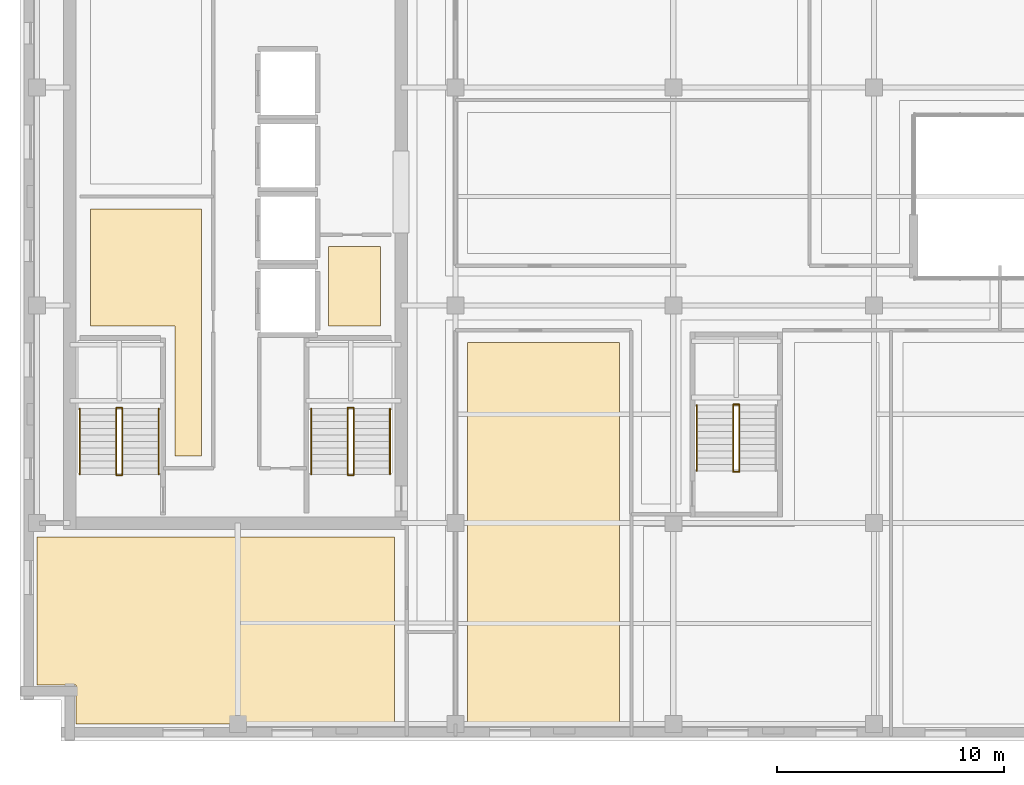
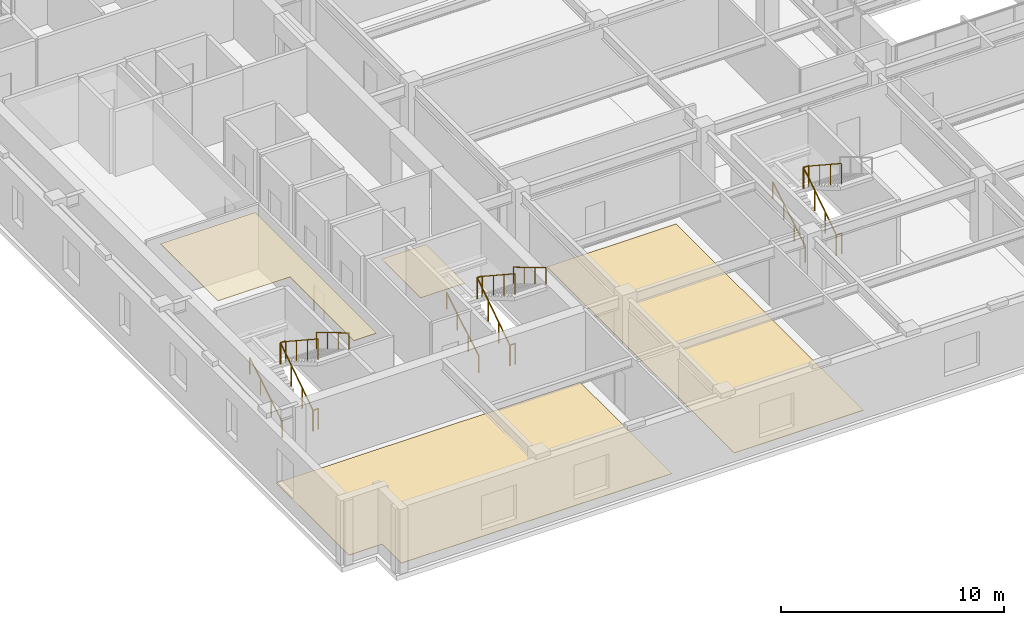
# One storey, part 8 of 11: 17 railings, 4 coverings.
"""IFC4 building model written with IfcOpenShell, lengths in metres."""

from ifc_helpers import new_model, si_unit, direction, frame, origin, origin_2d, place, context, subcontext, project, spatial, polyline, circle, outline, extrude, material, layer, layer_set, type_object, element, save


model = new_model("IFC4")

# Units and contexts
model_context = context("Model", 3, precision=1e-05, world=origin(), true_north=direction((0.0, 1.0)))
body_context = subcontext(model_context, "Body", "Model", "MODEL_VIEW")
ifc_project = project(units=[si_unit("LENGTHUNIT", "METRE"), si_unit("AREAUNIT", "SQUARE_METRE"), si_unit("VOLUMEUNIT", "CUBIC_METRE"), si_unit("PLANEANGLEUNIT", "RADIAN"), si_unit("MASSUNIT", "GRAM", prefix="KILO")], contexts=[model_context])

# Site, building, storey
site_placement = place(None, origin())
site = spatial("IfcSite", under=ifc_project, at=site_placement, CompositionType="ELEMENT")
building_placement = place(site_placement, origin())
building = spatial("IfcBuilding", under=site, at=building_placement, Name="Norrvale University Quadrangle", CompositionType="ELEMENT")
storey_placement = place(building_placement, frame((0.0, 0.0, 281.0)))
storey = spatial("IfcBuildingStorey", under=building, at=storey_placement, Name="L71", CompositionType="ELEMENT", Elevation=281.0)

# Coverings
ifc_material_1 = material(Name="Perforated Acoustic Mineral Ceiling")
ifc_layer_1 = layer(ifc_material_1, 0.02490234375, Name="Perforated Acoustic Mineral Ceiling")
ifc_layer_set_1 = layer_set([ifc_layer_1], Name="Perforated Acoustic Mineral Ceiling")
covering_type_1 = type_object("IfcCoveringType", Name="Covering Acoustic Ceiling 25", PredefinedType="CEILING", material=ifc_layer_set_1)
covering_1_placement = place(storey_placement, frame((0.0, 0.0, 3.514892578125)))
element("IfcCovering", 1, at=covering_1_placement, inside=storey, type_object=covering_type_1, Name="Acoustic Ceiling RM-L71-REC1", PredefinedType="CEILING", context=body_context, shape_type="SweptSolid", body=[
    extrude(outline(polyline([(3.10009765625, 18.300048828125), (3.10009765625, 23.449951171875), (8.0, 23.449951171875), (8.0, 12.550048828125), (6.830078125, 12.550048828125), (6.830078125, 18.300048828125), (3.10009765625, 18.300048828125)])), origin(), (0.0, 0.0, 1.0), 0.025146484375),
])
ifc_material_2 = material(Name="Polished Terrazzo Flooring")
ifc_layer_2 = layer(ifc_material_2, 0.02490234375, Name="Polished Terrazzo Flooring")
ifc_layer_set_2 = layer_set([ifc_layer_2], Name="Polished Terrazzo Flooring")
covering_type_2 = type_object("IfcCoveringType", Name="Covering Terrazzo Floor 30", PredefinedType="FLOORING", material=ifc_layer_set_2)
covering_2_placement = place(storey_placement, origin())
element("IfcCovering", 2, at=covering_2_placement, inside=storey, type_object=covering_type_2, Name="Terrazzo Flooring RM-L71-JAN", PredefinedType="FLOORING", context=body_context, shape_type="SweptSolid", body=[
    extrude(outline(polyline([(13.60009765625, 18.300048828125), (13.60009765625, 21.800048828125), (15.89990234375, 21.800048828125), (15.89990234375, 18.300048828125), (13.60009765625, 18.300048828125)])), origin(), (0.0, 0.0, 1.0), 0.02490234375),
])
covering_3_placement = place(storey_placement, origin())
element("IfcCovering", 3, at=covering_3_placement, inside=storey, type_object=covering_type_2, Name="Terrazzo Flooring RM-L71-SW1", PredefinedType="FLOORING", context=body_context, shape_type="SweptSolid", body=[
    extrude(outline(polyline([(16.5, 9.0), (16.5, 0.75), (2.469970703125, 0.75), (2.469970703125, 2.469970703125), (0.75, 2.469970703125), (0.75, 9.0), (16.5, 9.0)])), origin(), (0.0, 0.0, 1.0), 0.02490234375),
])
covering_4_placement = place(storey_placement, origin())
element("IfcCovering", 4, at=covering_4_placement, inside=storey, type_object=covering_type_2, Name="Terrazzo Flooring RM-L71-SE1", PredefinedType="FLOORING", context=body_context, shape_type="SweptSolid", body=[
    extrude(outline(polyline([(26.419921875, 17.570068359375), (26.419921875, 0.75), (19.72998046875, 0.75), (19.72998046875, 17.570068359375), (26.419921875, 17.570068359375)])), origin(), (0.0, 0.0, 1.0), 0.02490234375),
])

# Railings
ifc_material_3 = material(Name="Steel 350W Painted Balustrade", Category="steel")
railing_type_1 = type_object("IfcRailingType", Name="Railing Stair Guard 1100", PredefinedType="GUARDRAIL", material=ifc_material_3)
for number, where, name in (
    (5, (4.239990234375, 11.719970703125, 0.0), "Stair Floor Well Guard ST-01 L71"),
    (6, (4.239990234375, 14.679931640625, 1.89990234375), "Stair Mid-Landing Slot Guard ST-01 L71"),
):
    element("IfcRailing", number, at=place(storey_placement, frame(where)), inside=storey, type_object=railing_type_1, Name=name, PredefinedType="GUARDRAIL", context=body_context, shape_type="SweptSolid", body=[
        extrude(circle(Radius=0.02392578125, at=origin_2d()), frame((0.0, 0.0, 1.1259765625), z_axis=(1.0, 0.0, 0.0), x_axis=(0.0, 1.0, 0.0)), (0.0, 0.0, 1.0), 0.27001953125),
        extrude(circle(Radius=0.02099609375, at=origin_2d()), origin(), (0.0, 0.0, 1.0), 1.101806640625),
        extrude(circle(Radius=0.02099609375, at=origin_2d()), frame((0.27001953125, 0.0, 0.0)), (0.0, 0.0, 1.0), 1.101806640625),
    ])
railing_1_placement = place(storey_placement, frame((4.239990234375, 11.75, 0.0)))
element("IfcRailing", 7, at=railing_1_placement, inside=storey, type_object=railing_type_1, Name="Stair Lower Flight Inner Guard ST-01 L71", PredefinedType="GUARDRAIL", context=body_context, shape_type="SweptSolid", body=[
    extrude(circle(Radius=0.02392578125, at=origin_2d()), frame((0.0, 0.0, 1.1259765625), z_axis=(0.0, 0.836465582154, 0.548019461216), x_axis=(-1.0, 0.0, 0.0)), (0.0, 0.0, 1.0), 3.466796875),
    extrude(circle(Radius=0.02099609375, at=origin_2d()), origin(), (0.0, 0.0, 1.0), 1.101806640625),
    extrude(circle(Radius=0.02099609375, at=origin_2d()), frame((0.0, 0.966552734375, 0.63330078125)), (0.0, 0.0, 1.0), 1.101806640625),
    extrude(circle(Radius=0.02099609375, at=origin_2d()), frame((0.0, 1.933349609375, 1.2666015625)), (0.0, 0.0, 1.0), 1.101806640625),
    extrude(circle(Radius=0.02099609375, at=origin_2d()), frame((0.0, 2.89990234375, 1.89990234375)), (0.0, 0.0, 1.0), 1.101806640625),
])
railing_2_placement = place(storey_placement, frame((4.510009765625, 14.64990234375, 1.89990234375)))
element("IfcRailing", 8, at=railing_2_placement, inside=storey, type_object=railing_type_1, Name="Stair Upper Flight Inner Guard ST-01 L71", PredefinedType="GUARDRAIL", context=body_context, shape_type="SweptSolid", body=[
    extrude(circle(Radius=0.02392578125, at=origin_2d()), frame((0.0, 0.0, 1.1259765625), z_axis=(0.0, -0.836433300813, 0.548068730445), x_axis=(1.0, 0.0, 0.0)), (0.0, 0.0, 1.0), 3.467041015625),
    extrude(circle(Radius=0.02099609375, at=origin_2d()), origin(), (0.0, 0.0, 1.0), 1.101806640625),
    extrude(circle(Radius=0.02099609375, at=origin_2d()), frame((0.0, -0.966552734375, 0.63330078125)), (0.0, 0.0, 1.0), 1.101806640625),
    extrude(circle(Radius=0.02099609375, at=origin_2d()), frame((0.0, -1.933349609375, 1.266845703125)), (0.0, 0.0, 1.0), 1.101806640625),
    extrude(circle(Radius=0.02099609375, at=origin_2d()), frame((0.0, -2.89990234375, 1.900146484375)), (0.0, 0.0, 1.0), 1.101806640625),
])
for number, where, name in (
    (9, (14.43994140625, 11.719970703125, 0.0), "Stair Floor Well Guard ST-03 L71"),
    (10, (14.43994140625, 14.679931640625, 1.89990234375), "Stair Mid-Landing Slot Guard ST-03 L71"),
):
    element("IfcRailing", number, at=place(storey_placement, frame(where)), inside=storey, type_object=railing_type_1, Name=name, PredefinedType="GUARDRAIL", context=body_context, shape_type="SweptSolid", body=[
        extrude(circle(Radius=0.02392578125, at=origin_2d()), frame((0.0, 0.0, 1.1259765625), z_axis=(1.0, 0.0, 0.0), x_axis=(0.0, 1.0, 0.0)), (0.0, 0.0, 1.0), 0.27001953125),
        extrude(circle(Radius=0.02099609375, at=origin_2d()), origin(), (0.0, 0.0, 1.0), 1.101806640625),
        extrude(circle(Radius=0.02099609375, at=origin_2d()), frame((0.27001953125, 0.0, 0.0)), (0.0, 0.0, 1.0), 1.101806640625),
    ])
railing_3_placement = place(storey_placement, frame((14.43994140625, 11.75, 0.0)))
element("IfcRailing", 11, at=railing_3_placement, inside=storey, type_object=railing_type_1, Name="Stair Lower Flight Inner Guard ST-03 L71", PredefinedType="GUARDRAIL", context=body_context, shape_type="SweptSolid", body=[
    extrude(circle(Radius=0.02392578125, at=origin_2d()), frame((0.0, 0.0, 1.1259765625), z_axis=(0.0, 0.836465582154, 0.548019461216), x_axis=(-1.0, 0.0, 0.0)), (0.0, 0.0, 1.0), 3.466796875),
    extrude(circle(Radius=0.02099609375, at=origin_2d()), origin(), (0.0, 0.0, 1.0), 1.101806640625),
    extrude(circle(Radius=0.02099609375, at=origin_2d()), frame((0.0, 0.966552734375, 0.63330078125)), (0.0, 0.0, 1.0), 1.101806640625),
    extrude(circle(Radius=0.02099609375, at=origin_2d()), frame((0.0, 1.933349609375, 1.2666015625)), (0.0, 0.0, 1.0), 1.101806640625),
    extrude(circle(Radius=0.02099609375, at=origin_2d()), frame((0.0, 2.89990234375, 1.89990234375)), (0.0, 0.0, 1.0), 1.101806640625),
])
railing_4_placement = place(storey_placement, frame((14.7099609375, 14.64990234375, 1.89990234375)))
element("IfcRailing", 12, at=railing_4_placement, inside=storey, type_object=railing_type_1, Name="Stair Upper Flight Inner Guard ST-03 L71", PredefinedType="GUARDRAIL", context=body_context, shape_type="SweptSolid", body=[
    extrude(circle(Radius=0.02392578125, at=origin_2d()), frame((0.0, 0.0, 1.1259765625), z_axis=(0.0, -0.836433300813, 0.548068730445), x_axis=(1.0, 0.0, 0.0)), (0.0, 0.0, 1.0), 3.467041015625),
    extrude(circle(Radius=0.02099609375, at=origin_2d()), origin(), (0.0, 0.0, 1.0), 1.101806640625),
    extrude(circle(Radius=0.02099609375, at=origin_2d()), frame((0.0, -0.966552734375, 0.63330078125)), (0.0, 0.0, 1.0), 1.101806640625),
    extrude(circle(Radius=0.02099609375, at=origin_2d()), frame((0.0, -1.933349609375, 1.266845703125)), (0.0, 0.0, 1.0), 1.101806640625),
    extrude(circle(Radius=0.02099609375, at=origin_2d()), frame((0.0, -2.89990234375, 1.900146484375)), (0.0, 0.0, 1.0), 1.101806640625),
])
for number, where, name in (
    (13, (31.43994140625, 11.8701171875, 0.0), "Stair Floor Well Guard ST-04 L71"),
    (14, (31.43994140625, 14.830078125, 1.89990234375), "Stair Mid-Landing Slot Guard ST-04 L71"),
):
    element("IfcRailing", number, at=place(storey_placement, frame(where)), inside=storey, type_object=railing_type_1, Name=name, PredefinedType="GUARDRAIL", context=body_context, shape_type="SweptSolid", body=[
        extrude(circle(Radius=0.02392578125, at=origin_2d()), frame((0.0, 0.0, 1.1259765625), z_axis=(1.0, 0.0, 0.0), x_axis=(0.0, 1.0, 0.0)), (0.0, 0.0, 1.0), 0.27001953125),
        extrude(circle(Radius=0.02099609375, at=origin_2d()), origin(), (0.0, 0.0, 1.0), 1.101806640625),
        extrude(circle(Radius=0.02099609375, at=origin_2d()), frame((0.27001953125, 0.0, 0.0)), (0.0, 0.0, 1.0), 1.101806640625),
    ])
railing_5_placement = place(storey_placement, frame((31.43994140625, 11.89990234375, 0.0)))
element("IfcRailing", 15, at=railing_5_placement, inside=storey, type_object=railing_type_1, Name="Stair Lower Flight Inner Guard ST-04 L71", PredefinedType="GUARDRAIL", context=body_context, shape_type="SweptSolid", body=[
    extrude(circle(Radius=0.02392578125, at=origin_2d()), frame((0.0, 0.0, 1.1259765625), z_axis=(0.0, 0.836486729621, 0.547987181573), x_axis=(-1.0, 0.0, 0.0)), (0.0, 0.0, 1.0), 3.467041015625),
    extrude(circle(Radius=0.02099609375, at=origin_2d()), origin(), (0.0, 0.0, 1.0), 1.101806640625),
    extrude(circle(Radius=0.02099609375, at=origin_2d()), frame((0.0, 0.966796875, 0.63330078125)), (0.0, 0.0, 1.0), 1.101806640625),
    extrude(circle(Radius=0.02099609375, at=origin_2d()), frame((0.0, 1.933349609375, 1.2666015625)), (0.0, 0.0, 1.0), 1.101806640625),
    extrude(circle(Radius=0.02099609375, at=origin_2d()), frame((0.0, 2.900146484375, 1.89990234375)), (0.0, 0.0, 1.0), 1.101806640625),
])
railing_6_placement = place(storey_placement, frame((31.7099609375, 14.800048828125, 1.89990234375)))
element("IfcRailing", 16, at=railing_6_placement, inside=storey, type_object=railing_type_1, Name="Stair Upper Flight Inner Guard ST-04 L71", PredefinedType="GUARDRAIL", context=body_context, shape_type="SweptSolid", body=[
    extrude(circle(Radius=0.02392578125, at=origin_2d()), frame((0.0, 0.0, 1.1259765625), z_axis=(0.0, -0.836454451266, 0.548036450392), x_axis=(1.0, 0.0, 0.0)), (0.0, 0.0, 1.0), 3.46728515625),
    extrude(circle(Radius=0.02099609375, at=origin_2d()), origin(), (0.0, 0.0, 1.0), 1.101806640625),
    extrude(circle(Radius=0.02099609375, at=origin_2d()), frame((0.0, -0.966796875, 0.63330078125)), (0.0, 0.0, 1.0), 1.101806640625),
    extrude(circle(Radius=0.02099609375, at=origin_2d()), frame((0.0, -1.933349609375, 1.266845703125)), (0.0, 0.0, 1.0), 1.101806640625),
    extrude(circle(Radius=0.02099609375, at=origin_2d()), frame((0.0, -2.900146484375, 1.900146484375)), (0.0, 0.0, 1.0), 1.101806640625),
])
ifc_material_4 = material(Name="Stainless Steel 316L Handrail", Category="steel")
railing_type_2 = type_object("IfcRailingType", Name="Railing Stair Handrail 920", PredefinedType="HANDRAIL", material=ifc_material_4)
railing_7_placement = place(storey_placement, frame((2.639892578125, 11.75, 0.172607421875)))
element("IfcRailing", 17, at=railing_7_placement, inside=storey, type_object=railing_type_2, Name="Stair Lower Flight Handrail ST-01 L71", PredefinedType="HANDRAIL", context=body_context, shape_type="SweptSolid", body=[
    extrude(circle(Radius=0.02392578125, at=origin_2d()), frame((0.0, 0.0, 0.89599609375), z_axis=(0.0, 0.859141464434, 0.511738159696), x_axis=(-1.0, 0.0, 0.0)), (0.0, 0.0, 1.0), 3.375244140625),
    extrude(circle(Radius=0.02099609375, at=origin_2d()), origin(), (0.0, 0.0, 1.0), 0.871826171875),
    extrude(circle(Radius=0.02099609375, at=origin_2d()), frame((0.0, 0.966552734375, 0.57568359375)), (0.0, 0.0, 1.0), 0.871826171875),
    extrude(circle(Radius=0.02099609375, at=origin_2d()), frame((0.0, 1.933349609375, 1.151611328125)), (0.0, 0.0, 1.0), 0.871826171875),
    extrude(circle(Radius=0.02099609375, at=origin_2d()), frame((0.0, 2.89990234375, 1.727294921875)), (0.0, 0.0, 1.0), 0.871826171875),
])
railing_8_placement = place(storey_placement, frame((6.110107421875, 14.64990234375, 2.07275390625)))
element("IfcRailing", 18, at=railing_8_placement, inside=storey, type_object=railing_type_2, Name="Stair Upper Flight Handrail ST-01 L71", PredefinedType="HANDRAIL", context=body_context, shape_type="SweptSolid", body=[
    extrude(circle(Radius=0.02392578125, at=origin_2d()), frame((0.0, 0.0, 0.89599609375), z_axis=(0.0, -0.859141464434, 0.511738159696), x_axis=(1.0, 0.0, 0.0)), (0.0, 0.0, 1.0), 3.375244140625),
    extrude(circle(Radius=0.02099609375, at=origin_2d()), origin(), (0.0, 0.0, 1.0), 0.871826171875),
    extrude(circle(Radius=0.02099609375, at=origin_2d()), frame((0.0, -0.966552734375, 0.57568359375)), (0.0, 0.0, 1.0), 0.871826171875),
    extrude(circle(Radius=0.02099609375, at=origin_2d()), frame((0.0, -1.933349609375, 1.151611328125)), (0.0, 0.0, 1.0), 0.871826171875),
    extrude(circle(Radius=0.02099609375, at=origin_2d()), frame((0.0, -2.89990234375, 1.727294921875)), (0.0, 0.0, 1.0), 0.871826171875),
])
railing_9_placement = place(storey_placement, frame((12.840087890625, 11.75, 0.172607421875)))
element("IfcRailing", 19, at=railing_9_placement, inside=storey, type_object=railing_type_2, Name="Stair Lower Flight Handrail ST-03 L71", PredefinedType="HANDRAIL", context=body_context, shape_type="SweptSolid", body=[
    extrude(circle(Radius=0.02392578125, at=origin_2d()), frame((0.0, 0.0, 0.89599609375), z_axis=(0.0, 0.859141464434, 0.511738159696), x_axis=(-1.0, 0.0, 0.0)), (0.0, 0.0, 1.0), 3.375244140625),
    extrude(circle(Radius=0.02099609375, at=origin_2d()), origin(), (0.0, 0.0, 1.0), 0.871826171875),
    extrude(circle(Radius=0.02099609375, at=origin_2d()), frame((0.0, 0.966552734375, 0.57568359375)), (0.0, 0.0, 1.0), 0.871826171875),
    extrude(circle(Radius=0.02099609375, at=origin_2d()), frame((0.0, 1.933349609375, 1.151611328125)), (0.0, 0.0, 1.0), 0.871826171875),
    extrude(circle(Radius=0.02099609375, at=origin_2d()), frame((0.0, 2.89990234375, 1.727294921875)), (0.0, 0.0, 1.0), 0.871826171875),
])
railing_10_placement = place(storey_placement, frame((16.31005859375, 14.64990234375, 2.07275390625)))
element("IfcRailing", 20, at=railing_10_placement, inside=storey, type_object=railing_type_2, Name="Stair Upper Flight Handrail ST-03 L71", PredefinedType="HANDRAIL", context=body_context, shape_type="SweptSolid", body=[
    extrude(circle(Radius=0.02392578125, at=origin_2d()), frame((0.0, 0.0, 0.89599609375), z_axis=(0.0, -0.859141464434, 0.511738159696), x_axis=(1.0, 0.0, 0.0)), (0.0, 0.0, 1.0), 3.375244140625),
    extrude(circle(Radius=0.02099609375, at=origin_2d()), origin(), (0.0, 0.0, 1.0), 0.871826171875),
    extrude(circle(Radius=0.02099609375, at=origin_2d()), frame((0.0, -0.966552734375, 0.57568359375)), (0.0, 0.0, 1.0), 0.871826171875),
    extrude(circle(Radius=0.02099609375, at=origin_2d()), frame((0.0, -1.933349609375, 1.151611328125)), (0.0, 0.0, 1.0), 0.871826171875),
    extrude(circle(Radius=0.02099609375, at=origin_2d()), frame((0.0, -2.89990234375, 1.727294921875)), (0.0, 0.0, 1.0), 0.871826171875),
])
railing_11_placement = place(storey_placement, frame((29.840087890625, 11.89990234375, 0.172607421875)))
element("IfcRailing", 21, at=railing_11_placement, inside=storey, type_object=railing_type_2, Name="Stair Lower Flight Handrail ST-04 L71", PredefinedType="HANDRAIL", context=body_context, shape_type="SweptSolid", body=[
    extrude(circle(Radius=0.02392578125, at=origin_2d()), frame((0.0, 0.0, 0.89599609375), z_axis=(0.0, 0.859160404282, 0.51170636083), x_axis=(-1.0, 0.0, 0.0)), (0.0, 0.0, 1.0), 3.37548828125),
    extrude(circle(Radius=0.02099609375, at=origin_2d()), origin(), (0.0, 0.0, 1.0), 0.871826171875),
    extrude(circle(Radius=0.02099609375, at=origin_2d()), frame((0.0, 0.966796875, 0.57568359375)), (0.0, 0.0, 1.0), 0.871826171875),
    extrude(circle(Radius=0.02099609375, at=origin_2d()), frame((0.0, 1.933349609375, 1.151611328125)), (0.0, 0.0, 1.0), 0.871826171875),
    extrude(circle(Radius=0.02099609375, at=origin_2d()), frame((0.0, 2.900146484375, 1.727294921875)), (0.0, 0.0, 1.0), 0.871826171875),
])

save(model, "model.ifc")
